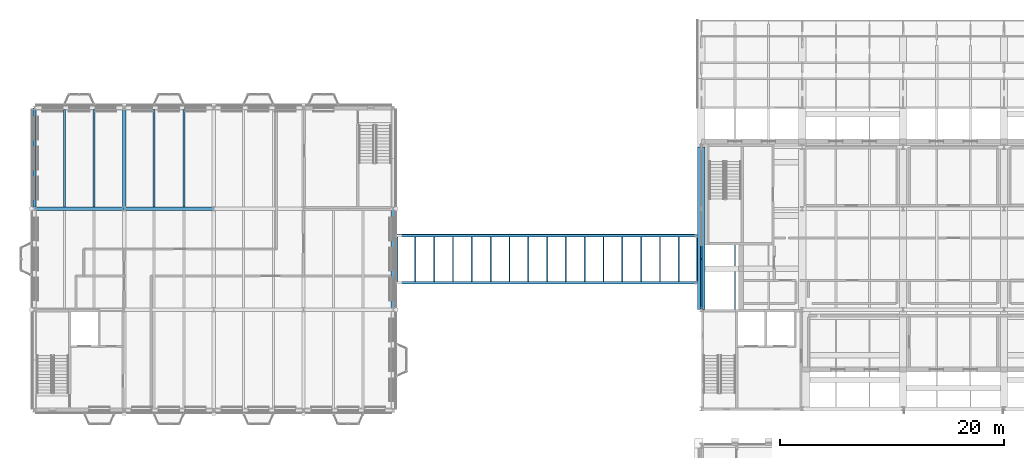
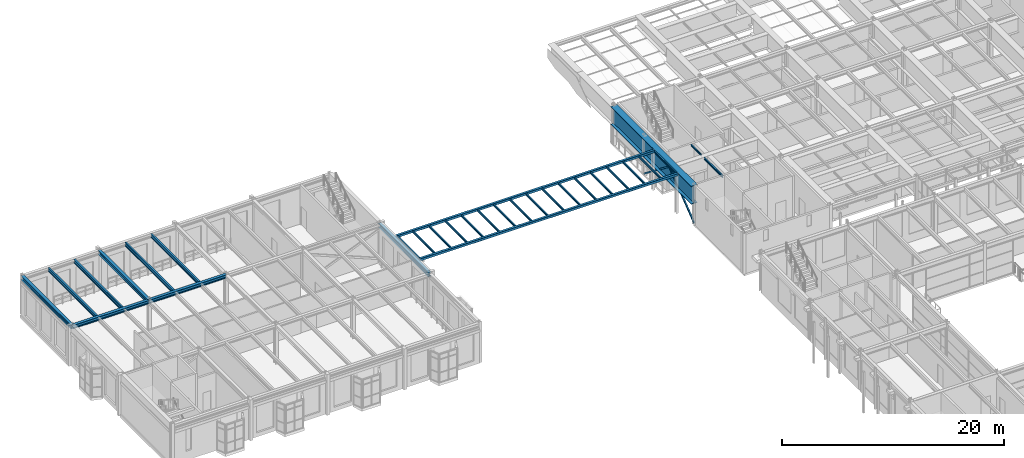
# One storey, part 52 of 153: 29 beams, 4 members.
"""IFC4 building model written with IfcOpenShell, lengths in metres."""

from ifc_helpers import new_model, si_unit, direction, frame, origin, origin_2d, place, context, subcontext, project, spatial, hollow_rectangle, i_section, extrude, material, material_profile, profile_set, type_object, element, save


model = new_model("IFC4")

# Units and contexts
model_context = context("Model", 3, precision=1e-05, world=origin(), true_north=direction((0.0, 1.0)))
body_context = subcontext(model_context, "Body", "Model", "MODEL_VIEW")
ifc_project = project(units=[si_unit("LENGTHUNIT", "METRE"), si_unit("AREAUNIT", "SQUARE_METRE"), si_unit("VOLUMEUNIT", "CUBIC_METRE"), si_unit("PLANEANGLEUNIT", "RADIAN"), si_unit("MASSUNIT", "GRAM", prefix="KILO")], contexts=[model_context])

# Site, building, storey
site_placement = place(None, origin())
site = spatial("IfcSite", under=ifc_project, at=site_placement, CompositionType="ELEMENT")
building_placement = place(site_placement, origin())
building = spatial("IfcBuilding", under=site, at=building_placement, Name="Kallimachos Central Library", CompositionType="ELEMENT")
storey_placement = place(building_placement, frame((0.0, 0.0, 5.39990234375)))
storey = spatial("IfcBuildingStorey", under=building, at=storey_placement, Name="L01", CompositionType="ELEMENT", Elevation=5.39990234375)

# Beams
ifc_material_1 = material(Name="Steel S355J2", Category="steel")
ifc_material_profile_1 = material_profile(ifc_material_1, i_section(OverallWidth=0.300048828125, OverallDepth=0.389892578125, WebThickness=0.010986328125, FlangeThickness=0.01904296875, FilletRadius=0.027099609375, at=origin_2d()), Name="HEA 400")
ifc_profile_set_1 = profile_set([ifc_material_profile_1], Name="Steel S355J2")
beam_type_1 = type_object("IfcBeamType", Name="HEA 400 beam", PredefinedType="BEAM", material=ifc_profile_set_1)
for number, where, z_axis, x_axis, name in (
    (1, (6.0, 105.0, 4.155029296875), (1.0, 0.0, 0.0), (0.0, 1.0, 0.0), "V2-BEM-L01-024"),
    (2, (14.0, 105.0, 4.155029296875), (1.0, 0.0, 0.0), (0.0, 1.0, 0.0), "V2-BEM-L01-025"),
):
    element("IfcBeam", number, at=place(storey_placement, frame(where, z_axis=z_axis, x_axis=x_axis)), inside=storey, type_object=beam_type_1, Name=name, PredefinedType="BEAM", context=body_context, shape_type="SweptSolid", body=[
        extrude(i_section(OverallWidth=0.300048828125, OverallDepth=0.389892578125, WebThickness=0.010986328125, FlangeThickness=0.01904296875, FilletRadius=0.027099609375, at=origin_2d()), origin(), (0.0, 0.0, 1.0), 8.0),
    ])
ifc_material_2 = material(Name="Steel S355J2", Category="steel")
ifc_material_profile_2 = material_profile(ifc_material_2, i_section(OverallWidth=0.300048828125, OverallDepth=0.43994140625, WebThickness=0.011474609375, FlangeThickness=0.02099609375, FilletRadius=0.027099609375, at=origin_2d()), Name="HEA 450")
ifc_profile_set_2 = profile_set([ifc_material_profile_2], Name="Steel S355J2")
beam_type_2 = type_object("IfcBeamType", Name="HEA 450 beam", PredefinedType="BEAM", material=ifc_profile_set_2)
for number, where, z_axis, x_axis, name in (
    (3, (6.0, 105.0, 4.130126953125), (0.0, 1.0, 0.0), (-1.0, 0.0, 0.0), "V2-BEM-L01-003"),
    (4, (14.0, 105.0, 4.130126953125), (0.0, 1.0, 0.0), (-1.0, 0.0, 0.0), "V2-BEM-L01-006"),
    (5, (38.0, 96.0, 4.130126953125), (0.0, 1.0, 0.0), (-1.0, 0.0, 0.0), "V2-BEM-L01-014"),
):
    element("IfcBeam", number, at=place(storey_placement, frame(where, z_axis=z_axis, x_axis=x_axis)), inside=storey, type_object=beam_type_2, Name=name, PredefinedType="BEAM", context=body_context, shape_type="SweptSolid", body=[
        extrude(i_section(OverallWidth=0.300048828125, OverallDepth=0.43994140625, WebThickness=0.011474609375, FlangeThickness=0.02099609375, FilletRadius=0.027099609375, at=origin_2d()), origin(), (0.0, 0.0, 1.0), 9.0),
    ])
ifc_material_3 = material(Name="Steel S355J2", Category="steel")
ifc_material_profile_3 = material_profile(ifc_material_3, i_section(OverallWidth=0.10009765625, OverallDepth=0.199951171875, WebThickness=0.005615234375, FlangeThickness=0.008544921875, FilletRadius=0.011962890625, at=origin_2d()), Name="IPE 200")
ifc_profile_set_3 = profile_set([ifc_material_profile_3], Name="Steel S355J2")
beam_type_3 = type_object("IfcBeamType", Name="IPE 200 beam", PredefinedType="BEAM", material=ifc_profile_set_3)
beam_1_placement = place(storey_placement, frame((68.5, 99.89111328125, 4.2001953125), z_axis=(0.0, 1.0, 0.0), x_axis=(-1.0, 0.0, 0.0)))
element("IfcBeam", 6, at=beam_1_placement, inside=storey, type_object=beam_type_3, Name="V1-BEM-L01-065", PredefinedType="BEAM", context=body_context, shape_type="SweptSolid", body=[
    extrude(i_section(OverallWidth=0.10009765625, OverallDepth=0.199951171875, WebThickness=0.005615234375, FlangeThickness=0.008544921875, FilletRadius=0.011962890625, at=origin_2d()), origin(), (0.0, 0.0, 1.0), 1.87890625),
])
ifc_material_4 = material(Name="Steel S355J2", Category="steel")
ifc_material_profile_4 = material_profile(ifc_material_4, i_section(OverallWidth=0.1201171875, OverallDepth=0.239990234375, WebThickness=0.006103515625, FlangeThickness=0.009765625, FilletRadius=0.014892578125, at=origin_2d()), Name="IPE 240")
ifc_profile_set_4 = profile_set([ifc_material_profile_4], Name="Steel S355J2")
beam_type_4 = type_object("IfcBeamType", Name="IPE 240 beam", PredefinedType="BEAM", material=ifc_profile_set_4)
beam_2_placement = place(storey_placement, frame((68.5, 96.0048828125, 4.18017578125), z_axis=(0.0, 1.0, 0.0), x_axis=(-1.0, 0.0, 0.0)))
element("IfcBeam", 7, at=beam_2_placement, inside=storey, type_object=beam_type_4, Name="V1-BEM-L01-064", PredefinedType="BEAM", context=body_context, shape_type="SweptSolid", body=[
    extrude(i_section(OverallWidth=0.1201171875, OverallDepth=0.239990234375, WebThickness=0.006103515625, FlangeThickness=0.009765625, FilletRadius=0.014892578125, at=origin_2d()), origin(), (0.0, 0.0, 1.0), 3.38623046875),
])
for number, where, z_axis, x_axis, name in (
    (8, (38.360107421875, 98.52490234375, 4.22998046875), (0.0, 1.0, 0.0), (-1.0, 0.0, 0.0), "links-BEM-L01-019"),
    (9, (39.979736328125, 98.52490234375, 4.22998046875), (0.0, 1.0, 0.0), (-1.0, 0.0, 0.0), "links-BEM-L01-020"),
    (10, (41.659423828125, 98.52490234375, 4.22998046875), (0.0, 1.0, 0.0), (-1.0, 0.0, 0.0), "links-BEM-L01-021"),
    (11, (43.339111328125, 98.52490234375, 4.22998046875), (0.0, 1.0, 0.0), (-1.0, 0.0, 0.0), "links-BEM-L01-022"),
    (12, (45.018798828125, 98.52490234375, 4.22998046875), (0.0, 1.0, 0.0), (-1.0, 0.0, 0.0), "links-BEM-L01-023"),
    (13, (46.698486328125, 98.52490234375, 4.22998046875), (0.0, 1.0, 0.0), (-1.0, 0.0, 0.0), "links-BEM-L01-024"),
    (14, (48.378173828125, 98.52490234375, 4.22998046875), (0.0, 1.0, 0.0), (-1.0, 0.0, 0.0), "links-BEM-L01-025"),
    (15, (50.057861328125, 98.52490234375, 4.22998046875), (0.0, 1.0, 0.0), (-1.0, 0.0, 0.0), "links-BEM-L01-026"),
    (16, (51.737548828125, 98.52490234375, 4.22998046875), (0.0, 1.0, 0.0), (-1.0, 0.0, 0.0), "links-BEM-L01-027"),
    (17, (53.417236328125, 98.52490234375, 4.22998046875), (0.0, 1.0, 0.0), (-1.0, 0.0, 0.0), "links-BEM-L01-028"),
    (18, (55.096923828125, 98.52490234375, 4.22998046875), (0.0, 1.0, 0.0), (-1.0, 0.0, 0.0), "links-BEM-L01-029"),
    (19, (56.776611328125, 98.52490234375, 4.22998046875), (0.0, 1.0, 0.0), (-1.0, 0.0, 0.0), "links-BEM-L01-030"),
    (20, (58.456298828125, 98.52490234375, 4.22998046875), (0.0, 1.0, 0.0), (-1.0, 0.0, 0.0), "links-BEM-L01-031"),
    (21, (60.135986328125, 98.52490234375, 4.22998046875), (0.0, 1.0, 0.0), (-1.0, 0.0, 0.0), "links-BEM-L01-032"),
    (22, (61.815673828125, 98.52490234375, 4.22998046875), (0.0, 1.0, 0.0), (-1.0, 0.0, 0.0), "links-BEM-L01-033"),
    (23, (63.495361328125, 98.52490234375, 4.22998046875), (0.0, 1.0, 0.0), (-1.0, 0.0, 0.0), "links-BEM-L01-034"),
    (24, (65.114990234375, 98.52490234375, 4.22998046875), (0.0, 1.0, 0.0), (-1.0, 0.0, 0.0), "links-BEM-L01-035"),
):
    element("IfcBeam", number, at=place(storey_placement, frame(where, z_axis=z_axis, x_axis=x_axis)), inside=storey, type_object=beam_type_4, Name=name, PredefinedType="BEAM", context=body_context, shape_type="SweptSolid", body=[
        extrude(i_section(OverallWidth=0.1201171875, OverallDepth=0.239990234375, WebThickness=0.006103515625, FlangeThickness=0.009765625, FilletRadius=0.014892578125, at=origin_2d()), origin(), (0.0, 0.0, 1.0), 3.9501953125),
    ])
ifc_material_5 = material(Name="Steel S355J2", Category="steel")
ifc_material_profile_5 = material_profile(ifc_material_5, i_section(OverallWidth=0.179931640625, OverallDepth=0.39990234375, WebThickness=0.008544921875, FlangeThickness=0.013427734375, FilletRadius=0.02099609375, at=origin_2d()), Name="IPE 400")
ifc_profile_set_5 = profile_set([ifc_material_profile_5], Name="Steel S355J2")
beam_type_5 = type_object("IfcBeamType", Name="IPE 400 beam", PredefinedType="BEAM", material=ifc_profile_set_5)
for number, where, z_axis, x_axis, name in (
    (25, (8.666748046875, 105.14990234375, 4.150146484375), (0.0, 1.0, 0.0), (-1.0, 0.0, 0.0), "V2-BEM-L01-034"),
    (26, (11.333251953125, 105.14990234375, 4.150146484375), (0.0, 1.0, 0.0), (-1.0, 0.0, 0.0), "V2-BEM-L01-035"),
    (27, (16.666748046875, 105.14990234375, 4.150146484375), (0.0, 1.0, 0.0), (-1.0, 0.0, 0.0), "V2-BEM-L01-040"),
    (28, (19.333251953125, 105.14990234375, 4.150146484375), (0.0, 1.0, 0.0), (-1.0, 0.0, 0.0), "V2-BEM-L01-041"),
):
    element("IfcBeam", number, at=place(storey_placement, frame(where, z_axis=z_axis, x_axis=x_axis)), inside=storey, type_object=beam_type_5, Name=name, PredefinedType="BEAM", context=body_context, shape_type="SweptSolid", body=[
        extrude(i_section(OverallWidth=0.179931640625, OverallDepth=0.39990234375, WebThickness=0.008544921875, FlangeThickness=0.013427734375, FilletRadius=0.02099609375, at=origin_2d()), origin(), (0.0, 0.0, 1.0), 8.7001953125),
    ])
ifc_material_6 = material(Name="Steel S355K2", Category="steel")
ifc_material_profile_6 = material_profile(ifc_material_6, i_section(OverallWidth=0.64990234375, OverallDepth=2.0, WebThickness=0.034912109375, FlangeThickness=0.054931640625, at=origin_2d()), Name="PG 2000x650-35/55")
ifc_profile_set_6 = profile_set([ifc_material_profile_6], Name="Steel S355K2")
beam_type_6 = type_object("IfcBeamType", Name="PG 2000x650-35/55 beam", PredefinedType="BEAM", material=ifc_profile_set_6)
beam_3_placement = place(storey_placement, frame((65.5, 96.0, 3.300048828125), z_axis=(0.0, 1.0, 0.0), x_axis=(-1.0, 0.0, 0.0)))
element("IfcBeam", 29, at=beam_3_placement, inside=storey, type_object=beam_type_6, Name="V1-BEM-L01-021", PredefinedType="BEAM", context=body_context, shape_type="SweptSolid", body=[
    extrude(i_section(OverallWidth=0.64990234375, OverallDepth=2.0, WebThickness=0.034912109375, FlangeThickness=0.054931640625, at=origin_2d()), origin(), (0.0, 0.0, 1.0), 14.5),
])

# Members
ifc_material_7 = material(Name="Steel S355J2H", Category="steel")
ifc_material_profile_7 = material_profile(ifc_material_7, hollow_rectangle(XDim=0.14990234375, YDim=0.14990234375, WallThickness=0.010009765625, InnerFilletRadius=0.010009765625, OuterFilletRadius=0.014892578125, at=origin_2d()), Name="SHS 150x150x10")
ifc_profile_set_7 = profile_set([ifc_material_profile_7], Name="Steel S355J2H")
member_type_1 = type_object("IfcMemberType", Name="SHS 150x150x10 brace", PredefinedType="BRACE", material=ifc_profile_set_7)
for number, where, z_axis, x_axis, name in (
    (30, (65.5, 96.0, 0.150146484375), (0.0, 0.789352217376, 0.613940613515), (-1.0, 0.0, 0.0), "Chevron brace 65.5 L01"),
    (31, (65.5, 105.0, 0.150146484375), (0.0, -0.789352217376, 0.613940613515), (1.0, 0.0, 0.0), "Chevron brace 65.5 L01"),
):
    element("IfcMember", number, at=place(storey_placement, frame(where, z_axis=z_axis, x_axis=x_axis)), inside=storey, type_object=member_type_1, Name=name, PredefinedType="BRACE", context=body_context, shape_type="SweptSolid", body=[
        extrude(hollow_rectangle(XDim=0.14990234375, YDim=0.14990234375, WallThickness=0.010009765625, InnerFilletRadius=0.010009765625, OuterFilletRadius=0.014892578125, at=origin_2d()), origin(), (0.0, 0.0, 1.0), 5.700927734375),
    ])
ifc_material_8 = material(Name="Steel S355J2H", Category="steel")
ifc_material_profile_8 = material_profile(ifc_material_8, hollow_rectangle(XDim=0.25, YDim=0.25, WallThickness=0.012451171875, InnerFilletRadius=0.012451171875, OuterFilletRadius=0.018798828125, at=origin_2d()), Name="SHS 250x250x12.5")
ifc_profile_set_8 = profile_set([ifc_material_profile_8], Name="Steel S355J2H")
member_type_2 = type_object("IfcMemberType", Name="SHS 250x250x12.5 chord", PredefinedType="CHORD", material=ifc_profile_set_8)
for number, where, z_axis, x_axis, name in (
    (32, (38.300048828125, 98.39990234375, 4.22509765625), (1.0, 0.0, 0.0), (0.0, 1.0, 0.0), "links-MEM-L01-001"),
    (33, (38.300048828125, 102.60009765625, 4.22509765625), (1.0, 0.0, 0.0), (0.0, 1.0, 0.0), "links-MEM-L01-002"),
):
    element("IfcMember", number, at=place(storey_placement, frame(where, z_axis=z_axis, x_axis=x_axis)), inside=storey, type_object=member_type_2, Name=name, PredefinedType="CHORD", context=body_context, shape_type="SweptSolid", body=[
        extrude(hollow_rectangle(XDim=0.25, YDim=0.25, WallThickness=0.012451171875, InnerFilletRadius=0.012451171875, OuterFilletRadius=0.018798828125, at=origin_2d()), origin(), (0.0, 0.0, 1.0), 26.875),
    ])

save(model, "model.ifc")
